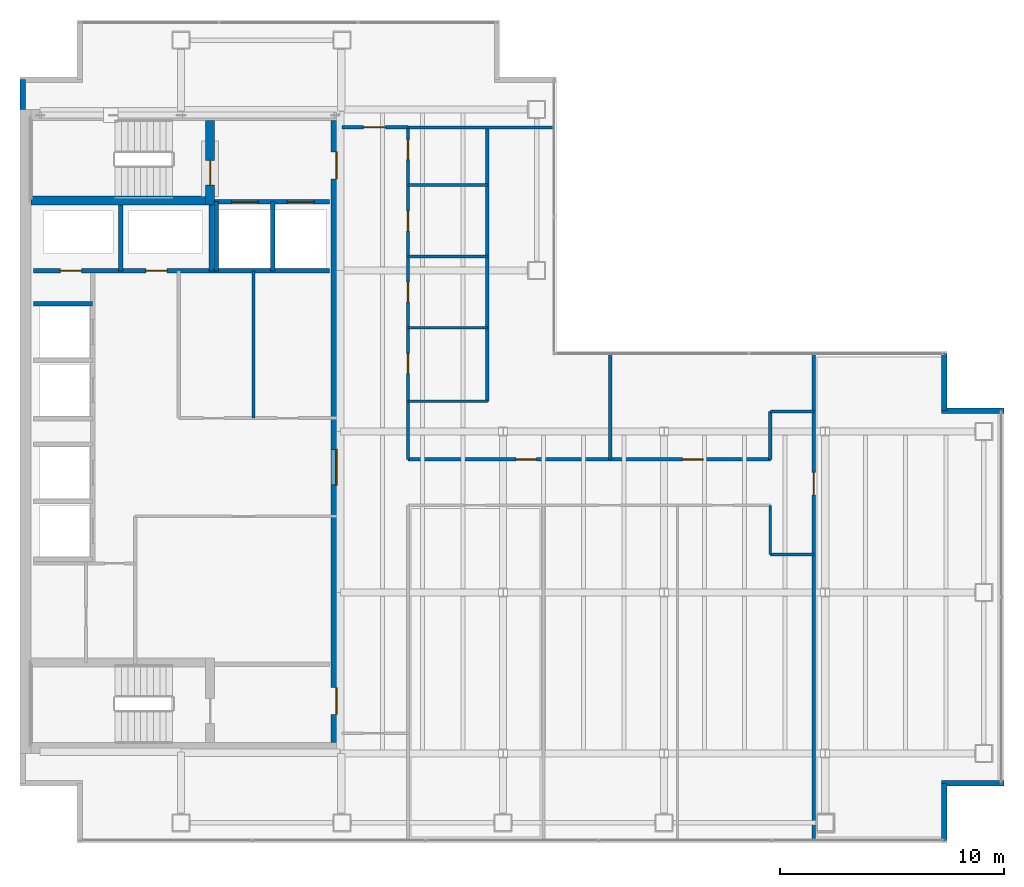
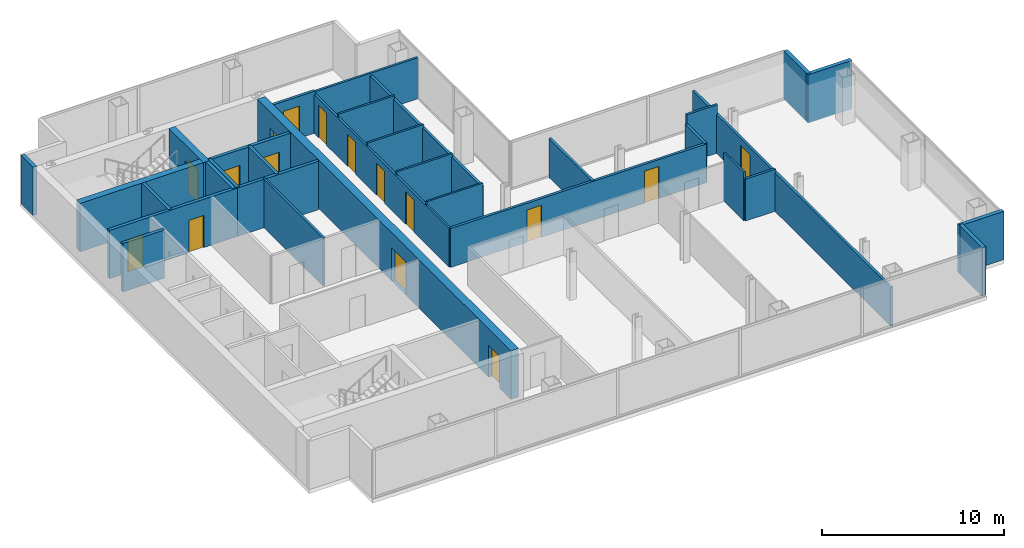
# One storey, part 21 of 23: 32 walls, 16 doors, 16 openings.
"""IFC4 building model written with IfcOpenShell, lengths in metres."""

import ifcopenshell
import ifcopenshell.guid

model = None  # the IFC model being written
_history = None  # IfcOwnerHistory: only IFC2X3 demands one
_inside = {}  # id of a spatial element -> (the spatial element, [elements in it])
_under = {}  # id of a project, library or spatial element -> (it, [spatial elements below it])
_declared = {}  # id of a project -> (the project, [libraries it declares])
_typed = {}  # id of a type object -> (the type object, [elements of that type])
_made_of = {}  # id of a material, layer set ... -> (it, [elements and type objects made of it])


def new_model(schema):
    """Start an empty IFC model of exactly this schema.

    Asked for "IFC4X3", IfcOpenShell would pick the latest addendum, in which some entities
    have other attributes; the version numbers below select the first issue.
    IFC2X3 requires an IfcOwnerHistory on every rooted entity: one is made here for all.
    """
    global model, _history
    if schema == "IFC4X3":
        model = ifcopenshell.file(schema_version=(4, 3, 0, 0))
    else:
        model = ifcopenshell.file(schema=schema)
    _inside.clear()
    _under.clear()
    _declared.clear()
    _typed.clear()
    _made_of.clear()
    _history = None
    if model.schema == "IFC2X3":
        org = make("IfcOrganization", Name="unknown")
        user = make(
            "IfcPersonAndOrganization",
            ThePerson=make("IfcPerson", FamilyName="unknown"),
            TheOrganization=org,
        )
        app = make(
            "IfcApplication",
            ApplicationDeveloper=org,
            Version="unknown",
            ApplicationFullName="unknown",
            ApplicationIdentifier="unknown",
        )
        _history = make(
            "IfcOwnerHistory",
            OwningUser=user,
            OwningApplication=app,
            ChangeAction="ADDED",
            CreationDate=0,
        )
    return model


def make(cls, **values):
    """One entity of the class cls with the attributes given. An attribute that is None is left unset."""
    return model.create_entity(
        cls, **{name: value for name, value in values.items() if value is not None}
    )


def rooted(cls, **values):
    """An entity with a GlobalId (a new one), such as an element, a storey or a relation."""
    return make(cls, GlobalId=ifcopenshell.guid.new(), OwnerHistory=_history, **values)


def si_unit(unit_type, name, prefix=None):
    """IfcSIUnit, for example si_unit("LENGTHUNIT", "METRE", prefix="MILLI")."""
    return make("IfcSIUnit", UnitType=unit_type, Prefix=prefix, Name=name)


def assignment(units):
    """IfcUnitAssignment: the units of a project."""
    return None if units is None else make("IfcUnitAssignment", Units=units)


def point(xyz):
    """IfcCartesianPoint."""
    return None if xyz is None else make("IfcCartesianPoint", Coordinates=xyz)


def direction(xyz):
    """IfcDirection."""
    return None if xyz is None else make("IfcDirection", DirectionRatios=xyz)


def frame(location, z_axis=None, x_axis=None):
    """IfcAxis2Placement3D, a coordinate frame: its origin and axes. An axis left out is left unset."""
    return make(
        "IfcAxis2Placement3D",
        Location=point(location),
        Axis=direction(z_axis),
        RefDirection=direction(x_axis),
    )


def frame_2d(location, x_axis=None):
    """IfcAxis2Placement2D, a coordinate frame in the plane: its origin and x axis."""
    return make(
        "IfcAxis2Placement2D", Location=point(location), RefDirection=direction(x_axis)
    )


def origin():
    """The frame at (0, 0, 0) with its axes left unset."""
    return frame((0.0, 0.0, 0.0))


def place(relative_to, where):
    """IfcLocalPlacement: puts the frame where relative to a parent placement (None: the world)."""
    return make(
        "IfcLocalPlacement", PlacementRelTo=relative_to, RelativePlacement=where
    )


def context(
    kind, dimensions, precision=None, world=None, true_north=None, identifier=None
):
    """IfcGeometricRepresentationContext, for example the 3D "Model" context."""
    return make(
        "IfcGeometricRepresentationContext",
        ContextIdentifier=identifier,
        ContextType=kind,
        CoordinateSpaceDimension=dimensions,
        Precision=precision,
        WorldCoordinateSystem=world,
        TrueNorth=true_north,
    )


def subcontext(parent, identifier, kind, view, scale=None):
    """IfcGeometricRepresentationSubContext, for example "Body" below "Model"."""
    return make(
        "IfcGeometricRepresentationSubContext",
        ContextIdentifier=identifier,
        ContextType=kind,
        ParentContext=parent,
        TargetScale=scale,
        TargetView=view,
    )


def project(units=None, contexts=None):
    """IfcProject with its units and contexts."""
    return rooted(
        "IfcProject",
        Name="project",
        RepresentationContexts=contexts,
        UnitsInContext=assignment(units),
    )


def spatial(cls, under=None, at=None, **own):
    """A site, building, storey or space (cls), placed at a placement, below another one or the project."""
    s = rooted(cls, ObjectPlacement=at, **own)
    if under is not None:
        _under.setdefault(under.id(), (under, []))[1].append(s)
    return s


def profile(cls, at=None, kind="AREA", **sizes):
    """A parametric profile (cls). Its sizes go by their IFC names, for example OverallWidth=200.0."""
    return make(cls, ProfileType=kind, Position=at, **sizes)


def rectangle(**sizes):
    """IfcRectangleProfileDef."""
    return profile("IfcRectangleProfileDef", **sizes)


def extrude(swept, where, along, depth):
    """IfcExtrudedAreaSolid: the profile swept, set in the frame where, extruded along a direction by depth."""
    return make(
        "IfcExtrudedAreaSolid",
        SweptArea=swept,
        Position=where,
        ExtrudedDirection=direction(along),
        Depth=depth,
    )


def shape(context_of_items, identifier, shape_type, items):
    """IfcShapeRepresentation: the items that make up one representation, for example the "Body"."""
    return make(
        "IfcShapeRepresentation",
        ContextOfItems=context_of_items,
        RepresentationIdentifier=identifier,
        RepresentationType=shape_type,
        Items=items,
    )


def material(Name=None, Category=None):
    """IfcMaterial."""
    return make("IfcMaterial", Name=Name, Category=Category)


def layer(
    of_material, thickness, ventilated=None, Name=None, Category=None, Priority=None
):
    """IfcMaterialLayer: one layer of a wall or slab, of a material (None: an air gap)."""
    return make(
        "IfcMaterialLayer",
        Material=of_material,
        LayerThickness=thickness,
        IsVentilated=ventilated,
        Name=Name,
        Category=Category,
        Priority=Priority,
    )


def layer_set(layers, Name=None):
    """IfcMaterialLayerSet."""
    return make("IfcMaterialLayerSet", MaterialLayers=layers, LayerSetName=Name)


def made_of(thing, what):
    """Note that an element or type object is made of a material, layer set ...; save() writes the relation."""
    if what is not None:
        _made_of.setdefault(what.id(), (what, []))[1].append(thing)
    return thing


def type_object(cls, material=None, **own):
    """A type object (cls), such as IfcWallType, which elements share."""
    return made_of(rooted(cls, **own), material)


def element(
    cls,
    number,
    at=None,
    inside=None,
    cuts=None,
    type_object=None,
    material=None,
    context=None,
    identifier="Body",
    shape_type=None,
    held_by="IfcProductDefinitionShape",
    body=None,
    shapes=None,
    **own,
):
    """One element of the class cls, such as IfcWall. Its Tag is "e" and its number.

    at: its placement. inside: the storey or other place that contains it. cuts: it is an
    opening in that element (IfcRelVoidsElement). A single representation is given by context,
    identifier, shape_type and body (its items); several are given by shapes. held_by: the class
    of the entity that holds the representations. save() writes the other relations.
    """
    e = rooted(cls, Tag="e%d" % number, ObjectPlacement=at, **own)
    if body is not None:
        shapes = [shape(context, identifier, shape_type, body)]
    if shapes is not None:
        e.Representation = make(held_by, Representations=shapes)
    if inside is not None:
        _inside.setdefault(inside.id(), (inside, []))[1].append(e)
    if cuts is not None:
        rooted(
            "IfcRelVoidsElement", RelatingBuildingElement=cuts, RelatedOpeningElement=e
        )
    if type_object is not None:
        _typed.setdefault(type_object.id(), (type_object, []))[1].append(e)
    return made_of(e, material)


def fill(opening, filler):
    """IfcRelFillsElement: the door or window that sits in an opening."""
    return rooted(
        "IfcRelFillsElement",
        RelatingOpeningElement=opening,
        RelatedBuildingElement=filler,
    )


def aggregate(whole, parts):
    """IfcRelAggregates: a whole, such as a stair, and the parts it consists of."""
    return rooted("IfcRelAggregates", RelatingObject=whole, RelatedObjects=parts)


def save(model, path):
    """Write the relations noted so far, then the file.

    IfcRelAggregates (storeys below a building ...), IfcRelContainedInSpatialStructure (elements
    in a storey), IfcRelDefinesByType, IfcRelAssociatesMaterial and IfcRelDeclares: one each for
    every whole, place, type object, material and project.
    """
    for whole, parts in _under.values():
        aggregate(whole, parts)
    for where, things in _inside.values():
        rooted(
            "IfcRelContainedInSpatialStructure",
            RelatedElements=things,
            RelatingStructure=where,
        )
    for kind, things in _typed.values():
        rooted("IfcRelDefinesByType", RelatedObjects=things, RelatingType=kind)
    for what, things in _made_of.values():
        rooted("IfcRelAssociatesMaterial", RelatedObjects=things, RelatingMaterial=what)
    for by, libraries in _declared.values():
        rooted("IfcRelDeclares", RelatingContext=by, RelatedDefinitions=libraries)
    model.write(path)


model = new_model("IFC4")

# Units and contexts
model_context = context("Model", 3, precision=1e-05, world=origin(), true_north=direction((0.0, 1.0)))
body_context = subcontext(model_context, "Body", "Model", "MODEL_VIEW")
ifc_project = project(units=[si_unit("LENGTHUNIT", "METRE"), si_unit("AREAUNIT", "SQUARE_METRE"), si_unit("VOLUMEUNIT", "CUBIC_METRE"), si_unit("PLANEANGLEUNIT", "RADIAN"), si_unit("MASSUNIT", "GRAM", prefix="KILO")], contexts=[model_context])

# Site, building, storey
site_placement = place(None, origin())
site = spatial("IfcSite", under=ifc_project, at=site_placement, CompositionType="ELEMENT")
building_placement = place(site_placement, origin())
building = spatial("IfcBuilding", under=site, at=building_placement, Name="Cobrela Telecom Tower", CompositionType="ELEMENT")
storey_placement = place(building_placement, frame((0.0, 0.0, 187.25)))
storey = spatial("IfcBuildingStorey", under=building, at=storey_placement, Name="L47", CompositionType="ELEMENT", Elevation=187.25)

# Wall, openings, doors
ifc_material_1 = material(Name="Concrete C40/50", Category="concrete")
ifc_layer_1 = layer(ifc_material_1, 0.5)
ifc_layer_set_1 = layer_set([ifc_layer_1], Name="Concrete C40/50")
wall_type_1 = type_object("IfcWallType", Name="WALL-CORE-C40-500", PredefinedType="SHEAR", material=ifc_layer_set_1)
wall_1_placement = place(storey_placement, frame((14.14990234375, 35.5, 0.0), z_axis=(0.0, 0.0, 1.0), x_axis=(0.0, -1.0, 0.0)))
wall_1 = element("IfcWall", 1, at=wall_1_placement, inside=storey, type_object=wall_type_1, Name="L47 East Core Shear Wall", PredefinedType="SHEAR", context=body_context, shape_type="SweptSolid", body=[
    extrude(rectangle(XDim=27.800048828125, YDim=0.5, at=frame_2d((13.89990234375, 0.0))), origin(), (0.0, 0.0, 1.0), 3.239990234375),
])
opening_1_placement = place(wall_1_placement, frame((1.39990234375, 0.0, 0.0)))
opening_1 = element("IfcOpeningElement", 2, at=opening_1_placement, cuts=wall_1, Name="Opening DR-19", PredefinedType="OPENING", context=body_context, shape_type="SweptSolid", body=[
    extrude(rectangle(XDim=1.199951171875, YDim=2.14990234375, at=frame_2d((0.60009765625, 1.074951171875))), frame((0.0, 0.261962890625, 0.0), z_axis=(0.0, -1.0, 0.0), x_axis=(1.0, 0.0, 0.0)), (0.0, 0.0, 1.0), 0.52392578125),
])
opening_2_placement = place(wall_1_placement, frame((25.35009765625, 0.0, 0.0)))
opening_2 = element("IfcOpeningElement", 3, at=opening_2_placement, cuts=wall_1, Name="Opening DR-19", PredefinedType="OPENING", context=body_context, shape_type="SweptSolid", body=[
    extrude(rectangle(XDim=1.199951171875, YDim=2.14990234375, at=frame_2d((0.60009765625, 1.074951171875))), frame((0.0, 0.261962890625, 0.0), z_axis=(0.0, -1.0, 0.0), x_axis=(1.0, 0.0, 0.0)), (0.0, 0.0, 1.0), 0.52392578125),
])
opening_3_placement = place(wall_1_placement, frame((14.699951171875, 0.0, 0.0)))
opening_3 = element("IfcOpeningElement", 4, at=opening_3_placement, cuts=wall_1, Name="Opening DR-51", PredefinedType="OPENING", context=body_context, shape_type="SweptSolid", body=[
    extrude(rectangle(XDim=1.60009765625, YDim=2.199951171875, at=frame_2d((0.800048828125, 1.10009765625))), frame((0.0, 0.261962890625, 0.0), z_axis=(0.0, -1.0, 0.0), x_axis=(1.0, 0.0, 0.0)), (0.0, 0.0, 1.0), 0.52392578125),
])
ifc_material_2 = material(Name="Steel ASTM A36", Category="steel")
door_type_1 = type_object("IfcDoorType", Name="DOOR-FD60-1200", OperationType="SINGLE_SWING_LEFT", PredefinedType="DOOR", material=ifc_material_2)
door_1_placement = place(opening_1_placement, origin())
door_1 = element("IfcDoor", 5, at=door_1_placement, inside=storey, type_object=door_type_1, Name="L47 Door DR-19", OperationType="SINGLE_SWING_LEFT", OverallHeight=2.14990234375, OverallWidth=1.199951171875, PredefinedType="DOOR", context=body_context, shape_type="SweptSolid", body=[
    extrude(rectangle(XDim=1.199951171875, YDim=2.14990234375, at=frame_2d((0.60009765625, 1.074951171875))), frame((0.0, 0.02490234375, 0.0), z_axis=(0.0, -1.0, 0.0), x_axis=(1.0, 0.0, 0.0)), (0.0, 0.0, 1.0), 0.050048828125),
])
fill(opening_1, door_1)
door_2_placement = place(opening_2_placement, origin())
door_2 = element("IfcDoor", 6, at=door_2_placement, inside=storey, type_object=door_type_1, Name="L47 Door DR-19", OperationType="SINGLE_SWING_RIGHT", OverallHeight=2.14990234375, OverallWidth=1.199951171875, PredefinedType="DOOR", context=body_context, shape_type="SweptSolid", body=[
    extrude(rectangle(XDim=1.199951171875, YDim=2.14990234375, at=frame_2d((0.60009765625, 1.074951171875))), frame((0.0, 0.02490234375, 0.0), z_axis=(0.0, -1.0, 0.0), x_axis=(1.0, 0.0, 0.0)), (0.0, 0.0, 1.0), 0.050048828125),
])
fill(opening_2, door_2)
door_type_2 = type_object("IfcDoorType", Name="DOOR-FD60-1600", OperationType="SINGLE_SWING_LEFT", PredefinedType="DOOR", material=ifc_material_2)
door_3_placement = place(opening_3_placement, origin())
door_3 = element("IfcDoor", 7, at=door_3_placement, inside=storey, type_object=door_type_2, Name="L47 Door DR-51", OperationType="DOUBLE_DOOR_SINGLE_SWING", OverallHeight=2.199951171875, OverallWidth=1.60009765625, PredefinedType="DOOR", context=body_context, shape_type="SweptSolid", body=[
    extrude(rectangle(XDim=1.60009765625, YDim=2.199951171875, at=frame_2d((0.800048828125, 1.10009765625))), frame((0.0, 0.02490234375, 0.0), z_axis=(0.0, -1.0, 0.0), x_axis=(1.0, 0.0, 0.0)), (0.0, 0.0, 1.0), 0.050048828125),
])
fill(opening_3, door_3)

# Walls
ifc_layer_2 = layer(ifc_material_1, 0.239990234375)
ifc_layer_set_2 = layer_set([ifc_layer_2], Name="Concrete C40/50")
wall_type_2 = type_object("IfcWallType", Name="WALL-EXT-300", PredefinedType="STANDARD", material=ifc_layer_set_2)
wall_2_placement = place(storey_placement, frame((0.1201171875, 36.0, 0.0), z_axis=(0.0, 0.0, 1.0), x_axis=(0.0, 1.0, 0.0)))
element("IfcWall", 8, at=wall_2_placement, inside=storey, type_object=wall_type_2, Name="L47 Insulated Facade Wall 04", PredefinedType="STANDARD", context=body_context, shape_type="SweptSolid", body=[
    extrude(rectangle(XDim=1.330078125, YDim=0.239990234375, at=frame_2d((0.6650390625, 0.0))), origin(), (0.0, 0.0, 1.0), 3.239990234375),
])
wall_3_placement = place(storey_placement, frame((41.330078125, 25.080078125, 0.0), z_axis=(0.0, 0.0, 1.0), x_axis=(0.0, -1.0, 0.0)))
element("IfcWall", 9, at=wall_3_placement, inside=storey, type_object=wall_type_2, Name="L47 Insulated Facade Wall 12", PredefinedType="STANDARD", context=body_context, shape_type="SweptSolid", body=[
    extrude(rectangle(XDim=2.550048828125, YDim=0.239990234375, at=frame_2d((1.27490234375, 0.0))), origin(), (0.0, 0.0, 1.0), 3.239990234375),
])
for number, where, z_axis, x_axis, name in (
    (10, (41.2099609375, 22.530029296875, 0.0), (0.0, 0.0, 1.0), (1.0, 0.0, 0.0), "L47 Insulated Facade Wall 13"),
    (11, (44.0, 5.8701171875, 0.0), (0.0, 0.0, 1.0), (-1.0, 0.0, 0.0), "L47 Insulated Facade Wall 15"),
):
    element("IfcWall", number, at=place(storey_placement, frame(where, z_axis=z_axis, x_axis=x_axis)), inside=storey, type_object=wall_type_2, Name=name, PredefinedType="STANDARD", context=body_context, shape_type="SweptSolid", body=[
        extrude(rectangle(XDim=2.7900390625, YDim=0.239990234375, at=frame_2d((1.39501953125, 0.0))), origin(), (0.0, 0.0, 1.0), 3.239990234375),
    ])
wall_4_placement = place(storey_placement, frame((41.330078125, 5.8701171875, 0.0), z_axis=(0.0, 0.0, 1.0), x_axis=(0.0, -1.0, 0.0)))
element("IfcWall", 12, at=wall_4_placement, inside=storey, type_object=wall_type_2, Name="L47 Insulated Facade Wall 16", PredefinedType="STANDARD", context=body_context, shape_type="SweptSolid", body=[
    extrude(rectangle(XDim=2.550048828125, YDim=0.239990234375, at=frame_2d((1.27490234375, 0.0))), origin(), (0.0, 0.0, 1.0), 3.239990234375),
])
ifc_material_3 = material(Name="Fire-Rated Gypsum Plasterboard")
ifc_layer_3 = layer(ifc_material_3, 0.110107421875)
ifc_layer_set_3 = layer_set([ifc_layer_3], Name="Fire-Rated Gypsum Plasterboard")
wall_type_3 = type_object("IfcWallType", Name="WALL-PART-110", PredefinedType="PARTITIONING", material=ifc_layer_set_3)
wall_5_placement = place(storey_placement, frame((33.550048828125, 16.10009765625, 0.0), z_axis=(0.0, 0.0, 1.0), x_axis=(0.0, 1.0, 0.0)))
element("IfcWall", 13, at=wall_5_placement, inside=storey, type_object=wall_type_3, Name="L47 Interior Partition W-CT-JW1", PredefinedType="PARTITIONING", context=body_context, shape_type="SweptSolid", body=[
    extrude(rectangle(XDim=2.199951171875, YDim=0.110107421875, at=frame_2d((1.10009765625, 0.0))), origin(), (0.0, 0.0, 1.0), 3.239990234375),
])
wall_6_placement = place(storey_placement, frame((17.35009765625, 22.949951171875, 0.0), z_axis=(0.0, 0.0, 1.0), x_axis=(1.0, 0.0, 0.0)))
element("IfcWall", 14, at=wall_6_placement, inside=storey, type_object=wall_type_3, Name="L47 Interior Partition W-WC-S", PredefinedType="PARTITIONING", context=body_context, shape_type="SweptSolid", body=[
    extrude(rectangle(XDim=3.5498046875, YDim=0.110107421875, at=frame_2d((1.77490234375, 0.0))), origin(), (0.0, 0.0, 1.0), 2.80810546875),
])
ifc_layer_4 = layer(ifc_material_3, 0.125)
ifc_layer_set_4 = layer_set([ifc_layer_4], Name="Fire-Rated Gypsum Plasterboard")
wall_type_4 = type_object("IfcWallType", Name="WALL-PART-125", PredefinedType="PARTITIONING", material=ifc_layer_set_4)
for number, where, z_axis, x_axis, name in (
    (15, (17.35009765625, 26.239990234375, 0.0), (0.0, 0.0, 1.0), (1.0, 0.0, 0.0), "L47 Interior Partition W-WCD-1"),
    (16, (17.35009765625, 29.429931640625, 0.0), (0.0, 0.0, 1.0), (1.0, 0.0, 0.0), "L47 Interior Partition W-WCD-2"),
    (17, (17.35009765625, 32.6201171875, 0.0), (0.0, 0.0, 1.0), (1.0, 0.0, 0.0), "L47 Interior Partition W-WCD-3"),
):
    element("IfcWall", number, at=place(storey_placement, frame(where, z_axis=z_axis, x_axis=x_axis)), inside=storey, type_object=wall_type_4, Name=name, PredefinedType="PARTITIONING", context=body_context, shape_type="SweptSolid", body=[
        extrude(rectangle(XDim=3.5498046875, YDim=0.125, at=frame_2d((1.77490234375, 0.0))), origin(), (0.0, 0.0, 1.0), 2.80810546875),
    ])
ifc_layer_5 = layer(ifc_material_3, 0.135009765625)
ifc_layer_set_5 = layer_set([ifc_layer_5], Name="Fire-Rated Gypsum Plasterboard")
wall_type_5 = type_object("IfcWallType", Name="WALL-PART-135", PredefinedType="PARTITIONING", material=ifc_layer_set_5)
wall_7_placement = place(storey_placement, frame((10.449951171875, 22.199951171875, 0.0), z_axis=(0.0, 0.0, 1.0), x_axis=(0.0, 1.0, 0.0)))
element("IfcWall", 18, at=wall_7_placement, inside=storey, type_object=wall_type_5, Name="L47 Interior Partition CW-RECL-V", PredefinedType="PARTITIONING", context=body_context, shape_type="SweptSolid", body=[
    extrude(rectangle(XDim=6.580078125, YDim=0.135009765625, at=frame_2d((3.2900390625, 0.0))), origin(), (0.0, 0.0, 1.0), 3.239990234375),
])

# Wall, openings, doors
wall_8_placement = place(storey_placement, frame((17.35009765625, 20.35009765625, 0.0), z_axis=(0.0, 0.0, 1.0), x_axis=(0.0, 1.0, 0.0)))
wall_8 = element("IfcWall", 19, at=wall_8_placement, inside=storey, type_object=wall_type_5, Name="L47 Interior Partition W-C-E2", PredefinedType="PARTITIONING", context=body_context, shape_type="SweptSolid", body=[
    extrude(rectangle(XDim=14.849853515625, YDim=0.135009765625, at=frame_2d((7.4248046875, 0.0))), origin(), (0.0, 0.0, 1.0), 2.60302734375),
])
opening_4_placement = place(wall_8_placement, frame((3.840087890625, 0.0, 0.0)))
opening_4 = element("IfcOpeningElement", 20, at=opening_4_placement, cuts=wall_8, Name="Opening DR-41", PredefinedType="OPENING", context=body_context, shape_type="SweptSolid", body=[
    extrude(rectangle(XDim=0.89990234375, YDim=2.14990234375, at=frame_2d((0.449951171875, 1.074951171875))), frame((0.0, 0.07958984375, 0.0), z_axis=(0.0, -1.0, 0.0), x_axis=(1.0, 0.0, 0.0)), (0.0, 0.0, 1.0), 0.158935546875),
])
opening_5_placement = place(wall_8_placement, frame((7.0400390625, 0.0, 0.0)))
opening_5 = element("IfcOpeningElement", 21, at=opening_5_placement, cuts=wall_8, Name="Opening DR-41", PredefinedType="OPENING", context=body_context, shape_type="SweptSolid", body=[
    extrude(rectangle(XDim=0.89990234375, YDim=2.14990234375, at=frame_2d((0.449951171875, 1.074951171875))), frame((0.0, 0.07958984375, 0.0), z_axis=(0.0, -1.0, 0.0), x_axis=(1.0, 0.0, 0.0)), (0.0, 0.0, 1.0), 0.158935546875),
])
opening_6_placement = place(wall_8_placement, frame((10.219970703125, 0.0, 0.0)))
opening_6 = element("IfcOpeningElement", 22, at=opening_6_placement, cuts=wall_8, Name="Opening DR-41", PredefinedType="OPENING", context=body_context, shape_type="SweptSolid", body=[
    extrude(rectangle(XDim=0.89990234375, YDim=2.14990234375, at=frame_2d((0.449951171875, 1.074951171875))), frame((0.0, 0.07958984375, 0.0), z_axis=(0.0, -1.0, 0.0), x_axis=(1.0, 0.0, 0.0)), (0.0, 0.0, 1.0), 0.158935546875),
])
opening_7_placement = place(wall_8_placement, frame((13.409912109375, 0.0, 0.0)))
opening_7 = element("IfcOpeningElement", 23, at=opening_7_placement, cuts=wall_8, Name="Opening DR-41", PredefinedType="OPENING", context=body_context, shape_type="SweptSolid", body=[
    extrude(rectangle(XDim=0.89990234375, YDim=2.14990234375, at=frame_2d((0.449951171875, 1.074951171875))), frame((0.0, 0.07958984375, 0.0), z_axis=(0.0, -1.0, 0.0), x_axis=(1.0, 0.0, 0.0)), (0.0, 0.0, 1.0), 0.158935546875),
])
ifc_material_4 = material(Name="Solid Engineered Oak Timber", Category="wood")
door_type_3 = type_object("IfcDoorType", Name="DOOR-INT-900", OperationType="SINGLE_SWING_LEFT", PredefinedType="DOOR", material=ifc_material_4)
door_4_placement = place(opening_4_placement, origin())
door_4 = element("IfcDoor", 24, at=door_4_placement, inside=storey, type_object=door_type_3, Name="L47 Door DR-41", OperationType="SINGLE_SWING_LEFT", OverallHeight=2.14990234375, OverallWidth=0.89990234375, PredefinedType="DOOR", context=body_context, shape_type="SweptSolid", body=[
    extrude(rectangle(XDim=0.89990234375, YDim=2.14990234375, at=frame_2d((0.449951171875, 1.074951171875))), frame((0.0, 0.02490234375, 0.0), z_axis=(0.0, -1.0, 0.0), x_axis=(1.0, 0.0, 0.0)), (0.0, 0.0, 1.0), 0.050048828125),
])
fill(opening_4, door_4)
door_5_placement = place(opening_5_placement, origin())
door_5 = element("IfcDoor", 25, at=door_5_placement, inside=storey, type_object=door_type_3, Name="L47 Door DR-41", OperationType="SINGLE_SWING_RIGHT", OverallHeight=2.14990234375, OverallWidth=0.89990234375, PredefinedType="DOOR", context=body_context, shape_type="SweptSolid", body=[
    extrude(rectangle(XDim=0.89990234375, YDim=2.14990234375, at=frame_2d((0.449951171875, 1.074951171875))), frame((0.0, 0.02490234375, 0.0), z_axis=(0.0, -1.0, 0.0), x_axis=(1.0, 0.0, 0.0)), (0.0, 0.0, 1.0), 0.050048828125),
])
fill(opening_5, door_5)
door_6_placement = place(opening_6_placement, origin())
door_6 = element("IfcDoor", 26, at=door_6_placement, inside=storey, type_object=door_type_3, Name="L47 Door DR-41", OperationType="SINGLE_SWING_LEFT", OverallHeight=2.14990234375, OverallWidth=0.89990234375, PredefinedType="DOOR", context=body_context, shape_type="SweptSolid", body=[
    extrude(rectangle(XDim=0.89990234375, YDim=2.14990234375, at=frame_2d((0.449951171875, 1.074951171875))), frame((0.0, 0.02490234375, 0.0), z_axis=(0.0, -1.0, 0.0), x_axis=(1.0, 0.0, 0.0)), (0.0, 0.0, 1.0), 0.050048828125),
])
fill(opening_6, door_6)
door_7_placement = place(opening_7_placement, origin())
door_7 = element("IfcDoor", 27, at=door_7_placement, inside=storey, type_object=door_type_3, Name="L47 Door DR-41", OperationType="SINGLE_SWING_RIGHT", OverallHeight=2.14990234375, OverallWidth=0.89990234375, PredefinedType="DOOR", context=body_context, shape_type="SweptSolid", body=[
    extrude(rectangle(XDim=0.89990234375, YDim=2.14990234375, at=frame_2d((0.449951171875, 1.074951171875))), frame((0.0, 0.02490234375, 0.0), z_axis=(0.0, -1.0, 0.0), x_axis=(1.0, 0.0, 0.0)), (0.0, 0.0, 1.0), 0.050048828125),
])
fill(opening_7, door_7)

# Walls
wall_9_placement = place(storey_placement, frame((33.550048828125, 22.5, 0.0), z_axis=(0.0, 0.0, 1.0), x_axis=(1.0, 0.0, 0.0)))
element("IfcWall", 28, at=wall_9_placement, inside=storey, type_object=wall_type_5, Name="L47 Interior Partition W-CT-N", PredefinedType="PARTITIONING", context=body_context, shape_type="SweptSolid", body=[
    extrude(rectangle(XDim=1.949951171875, YDim=0.135009765625, at=frame_2d((0.97509765625, 0.0))), origin(), (0.0, 0.0, 1.0), 3.239990234375),
])
wall_10_placement = place(storey_placement, frame((17.35009765625, 35.199951171875, 0.0), z_axis=(0.0, 0.0, 1.0), x_axis=(1.0, 0.0, 0.0)))
element("IfcWall", 29, at=wall_10_placement, inside=storey, type_object=wall_type_5, Name="L47 Interior Partition W-NW-S", PredefinedType="PARTITIONING", context=body_context, shape_type="SweptSolid", body=[
    extrude(rectangle(XDim=6.52978515625, YDim=0.135009765625, at=frame_2d((3.264892578125, 0.0))), origin(), (0.0, 0.0, 1.0), 2.758056640625),
])
ifc_layer_6 = layer(ifc_material_3, 0.14990234375)
ifc_layer_set_6 = layer_set([ifc_layer_6], Name="Fire-Rated Gypsum Plasterboard")
wall_type_6 = type_object("IfcWallType", Name="WALL-PART-150", PredefinedType="PARTITIONING", material=ifc_layer_set_6)
wall_11_placement = place(storey_placement, frame((33.550048828125, 16.10009765625, 0.0), z_axis=(0.0, 0.0, 1.0), x_axis=(1.0, 0.0, 0.0)))
element("IfcWall", 30, at=wall_11_placement, inside=storey, type_object=wall_type_6, Name="L47 Interior Partition W-CT-S", PredefinedType="PARTITIONING", context=body_context, shape_type="SweptSolid", body=[
    extrude(rectangle(XDim=1.949951171875, YDim=0.14990234375, at=frame_2d((0.97509765625, 0.0))), origin(), (0.0, 0.0, 1.0), 2.80810546875),
])

# Wall, opening, door
wall_12_placement = place(storey_placement, frame((35.5, 3.320068359375, 0.0), z_axis=(0.0, 0.0, 1.0), x_axis=(0.0, 1.0, 0.0)))
wall_12 = element("IfcWall", 31, at=wall_12_placement, inside=storey, type_object=wall_type_6, Name="L47 Interior Partition W-C-END", PredefinedType="PARTITIONING", context=body_context, shape_type="SweptSolid", body=[
    extrude(rectangle(XDim=21.760009765625, YDim=0.14990234375, at=frame_2d((10.8798828125, 0.0))), origin(), (0.0, 0.0, 1.0), 2.60302734375),
])
opening_8_placement = place(wall_12_placement, frame((15.449951171875, 0.0, 0.0)))
opening_8 = element("IfcOpeningElement", 32, at=opening_8_placement, cuts=wall_12, Name="Opening DR-31", PredefinedType="OPENING", context=body_context, shape_type="SweptSolid", body=[
    extrude(rectangle(XDim=1.0, YDim=2.14990234375, at=frame_2d((0.5, 1.074951171875))), frame((0.0, 0.0869140625, 0.0), z_axis=(0.0, -1.0, 0.0), x_axis=(1.0, 0.0, 0.0)), (0.0, 0.0, 1.0), 0.173828125),
])
door_type_4 = type_object("IfcDoorType", Name="DOOR-INT-1000", OperationType="SINGLE_SWING_LEFT", PredefinedType="DOOR", material=ifc_material_4)
door_8_placement = place(opening_8_placement, origin())
door_8 = element("IfcDoor", 33, at=door_8_placement, inside=storey, type_object=door_type_4, Name="L47 Door DR-31", OperationType="SINGLE_SWING_LEFT", OverallHeight=2.14990234375, OverallWidth=1.0, PredefinedType="DOOR", context=body_context, shape_type="SweptSolid", body=[
    extrude(rectangle(XDim=1.0, YDim=2.14990234375, at=frame_2d((0.5, 1.074951171875))), frame((0.0, 0.02490234375, 0.0), z_axis=(0.0, -1.0, 0.0), x_axis=(1.0, 0.0, 0.0)), (0.0, 0.0, 1.0), 0.050048828125),
])
fill(opening_8, door_8)

ifc_layer_7 = layer(ifc_material_3, 0.159912109375)
ifc_layer_set_7 = layer_set([ifc_layer_7], Name="Fire-Rated Gypsum Plasterboard")
wall_type_7 = type_object("IfcWallType", Name="WALL-PART-160", PredefinedType="PARTITIONING", material=ifc_layer_set_7)
wall_13_placement = place(storey_placement, frame((14.39990234375, 35.199951171875, 0.0), z_axis=(0.0, 0.0, 1.0), x_axis=(1.0, 0.0, 0.0)))
wall_13 = element("IfcWall", 34, at=wall_13_placement, inside=storey, type_object=wall_type_7, Name="L47 Interior Partition W-C-N0", PredefinedType="PARTITIONING", context=body_context, shape_type="SweptSolid", body=[
    extrude(rectangle(XDim=2.9501953125, YDim=0.159912109375, at=frame_2d((1.47509765625, 0.0))), origin(), (0.0, 0.0, 1.0), 2.80810546875),
])
opening_9_placement = place(wall_13_placement, frame((0.949951171875, 0.0, 0.0)))
opening_9 = element("IfcOpeningElement", 35, at=opening_9_placement, cuts=wall_13, Name="Opening DR-31", PredefinedType="OPENING", context=body_context, shape_type="SweptSolid", body=[
    extrude(rectangle(XDim=1.0, YDim=2.14990234375, at=frame_2d((0.5, 1.074951171875))), frame((0.0, 0.091796875, 0.0), z_axis=(0.0, -1.0, 0.0), x_axis=(1.0, 0.0, 0.0)), (0.0, 0.0, 1.0), 0.183837890625),
])
door_9_placement = place(opening_9_placement, origin())
door_9 = element("IfcDoor", 36, at=door_9_placement, inside=storey, type_object=door_type_4, Name="L47 Door DR-31", OperationType="SINGLE_SWING_LEFT", OverallHeight=2.14990234375, OverallWidth=1.0, PredefinedType="DOOR", context=body_context, shape_type="SweptSolid", body=[
    extrude(rectangle(XDim=1.0, YDim=2.14990234375, at=frame_2d((0.5, 1.074951171875))), frame((0.0, 0.02490234375, 0.0), z_axis=(0.0, -1.0, 0.0), x_axis=(1.0, 0.0, 0.0)), (0.0, 0.0, 1.0), 0.050048828125),
])
fill(opening_9, door_9)

# Wall, openings, doors
wall_14_placement = place(storey_placement, frame((17.35009765625, 20.35009765625, 0.0), z_axis=(0.0, 0.0, 1.0), x_axis=(1.0, 0.0, 0.0)))
wall_14 = element("IfcWall", 37, at=wall_14_placement, inside=storey, type_object=wall_type_7, Name="L47 Interior Partition W-C-HN", PredefinedType="PARTITIONING", context=body_context, shape_type="SweptSolid", body=[
    extrude(rectangle(XDim=16.199951171875, YDim=0.159912109375, at=frame_2d((8.10009765625, 0.0))), origin(), (0.0, 0.0, 1.0), 2.60302734375),
])
opening_10_placement = place(wall_14_placement, frame((4.820068359375, 0.0, 0.0)))
opening_10 = element("IfcOpeningElement", 38, at=opening_10_placement, cuts=wall_14, Name="Opening DR-45", PredefinedType="OPENING", context=body_context, shape_type="SweptSolid", body=[
    extrude(rectangle(XDim=0.919921875, YDim=2.14990234375, at=frame_2d((0.4599609375, 1.074951171875))), frame((0.0, 0.091796875, 0.0), z_axis=(0.0, -1.0, 0.0), x_axis=(1.0, 0.0, 0.0)), (0.0, 0.0, 1.0), 0.183837890625),
])
opening_11_placement = place(wall_14_placement, frame((12.280029296875, 0.0, 0.0)))
opening_11 = element("IfcOpeningElement", 39, at=opening_11_placement, cuts=wall_14, Name="Opening DR-45", PredefinedType="OPENING", context=body_context, shape_type="SweptSolid", body=[
    extrude(rectangle(XDim=0.919921875, YDim=2.14990234375, at=frame_2d((0.4599609375, 1.074951171875))), frame((0.0, 0.091796875, 0.0), z_axis=(0.0, -1.0, 0.0), x_axis=(1.0, 0.0, 0.0)), (0.0, 0.0, 1.0), 0.183837890625),
])
door_type_5 = type_object("IfcDoorType", Name="DOOR-INT-920", OperationType="SINGLE_SWING_LEFT", PredefinedType="DOOR", material=ifc_material_4)
door_10_placement = place(opening_10_placement, origin())
door_10 = element("IfcDoor", 40, at=door_10_placement, inside=storey, type_object=door_type_5, Name="L47 Door DR-45", OperationType="SINGLE_SWING_LEFT", OverallHeight=2.14990234375, OverallWidth=0.919921875, PredefinedType="DOOR", context=body_context, shape_type="SweptSolid", body=[
    extrude(rectangle(XDim=0.919921875, YDim=2.14990234375, at=frame_2d((0.4599609375, 1.074951171875))), frame((0.0, 0.02490234375, 0.0), z_axis=(0.0, -1.0, 0.0), x_axis=(1.0, 0.0, 0.0)), (0.0, 0.0, 1.0), 0.050048828125),
])
fill(opening_10, door_10)
door_11_placement = place(opening_11_placement, origin())
door_11 = element("IfcDoor", 41, at=door_11_placement, inside=storey, type_object=door_type_5, Name="L47 Door DR-45", OperationType="SINGLE_SWING_RIGHT", OverallHeight=2.14990234375, OverallWidth=0.919921875, PredefinedType="DOOR", context=body_context, shape_type="SweptSolid", body=[
    extrude(rectangle(XDim=0.919921875, YDim=2.14990234375, at=frame_2d((0.4599609375, 1.074951171875))), frame((0.0, 0.02490234375, 0.0), z_axis=(0.0, -1.0, 0.0), x_axis=(1.0, 0.0, 0.0)), (0.0, 0.0, 1.0), 0.050048828125),
])
fill(opening_11, door_11)

# Walls
wall_15_placement = place(storey_placement, frame((33.550048828125, 20.35009765625, 0.0), z_axis=(0.0, 0.0, 1.0), x_axis=(0.0, 1.0, 0.0)))
element("IfcWall", 42, at=wall_15_placement, inside=storey, type_object=wall_type_7, Name="L47 Interior Partition W-CT-JW2", PredefinedType="PARTITIONING", context=body_context, shape_type="SweptSolid", body=[
    extrude(rectangle(XDim=2.14990234375, YDim=0.159912109375, at=frame_2d((1.074951171875, 0.0))), origin(), (0.0, 0.0, 1.0), 2.60302734375),
])
wall_16_placement = place(storey_placement, frame((20.89990234375, 22.949951171875, 0.0), z_axis=(0.0, 0.0, 1.0), x_axis=(0.0, 1.0, 0.0)))
element("IfcWall", 43, at=wall_16_placement, inside=storey, type_object=wall_type_7, Name="L47 Interior Partition W-WC-E", PredefinedType="PARTITIONING", context=body_context, shape_type="SweptSolid", body=[
    extrude(rectangle(XDim=12.25, YDim=0.159912109375, at=frame_2d((6.125, 0.0))), origin(), (0.0, 0.0, 1.0), 2.60302734375),
])
wall_17_placement = place(storey_placement, frame((26.39990234375, 20.35009765625, 0.0), z_axis=(0.0, 0.0, 1.0), x_axis=(0.0, 1.0, 0.0)))
element("IfcWall", 44, at=wall_17_placement, inside=storey, type_object=wall_type_7, Name="L47 Interior Partition W-NV-1", PredefinedType="PARTITIONING", context=body_context, shape_type="SweptSolid", body=[
    extrude(rectangle(XDim=4.699951171875, YDim=0.159912109375, at=frame_2d((2.35009765625, 0.0))), origin(), (0.0, 0.0, 1.0), 2.60302734375),
])

# Wall, openings, doors
ifc_layer_8 = layer(ifc_material_3, 0.199951171875)
ifc_layer_set_8 = layer_set([ifc_layer_8], Name="Fire-Rated Gypsum Plasterboard")
wall_type_8 = type_object("IfcWallType", Name="WALL-SHAFT-200", PredefinedType="PARTITIONING", material=ifc_layer_set_8)
wall_18_placement = place(storey_placement, frame((8.699951171875, 31.8798828125, 0.0), z_axis=(0.0, 0.0, 1.0), x_axis=(1.0, 0.0, 0.0)))
wall_18 = element("IfcWall", 45, at=wall_18_placement, inside=storey, type_object=wall_type_8, Name="L47 Shaft Enclosure CW-FFL-S", PredefinedType="PARTITIONING", context=body_context, shape_type="SweptSolid", body=[
    extrude(rectangle(XDim=5.150146484375, YDim=0.199951171875, at=frame_2d((2.5751953125, 0.0))), origin(), (0.0, 0.0, 1.0), 3.239990234375),
])
opening_12_placement = place(wall_18_placement, frame((0.75, 0.0, 0.0)))
opening_12 = element("IfcOpeningElement", 46, at=opening_12_placement, cuts=wall_18, Name="Opening LD-2", PredefinedType="OPENING", context=body_context, shape_type="SweptSolid", body=[
    extrude(rectangle(XDim=1.199951171875, YDim=2.199951171875, at=frame_2d((0.60009765625, 1.10009765625))), frame((0.0, 0.11181640625, 0.0), z_axis=(0.0, -1.0, 0.0), x_axis=(1.0, 0.0, 0.0)), (0.0, 0.0, 1.0), 0.223876953125),
])
opening_13_placement = place(wall_18_placement, frame((3.25, 0.0, 0.0)))
opening_13 = element("IfcOpeningElement", 47, at=opening_13_placement, cuts=wall_18, Name="Opening LD-2", PredefinedType="OPENING", context=body_context, shape_type="SweptSolid", body=[
    extrude(rectangle(XDim=1.199951171875, YDim=2.199951171875, at=frame_2d((0.60009765625, 1.10009765625))), frame((0.0, 0.11181640625, 0.0), z_axis=(0.0, -1.0, 0.0), x_axis=(1.0, 0.0, 0.0)), (0.0, 0.0, 1.0), 0.223876953125),
])
door_type_6 = type_object("IfcDoorType", Name="DOOR-LD-FFL", OperationType="SINGLE_SWING_LEFT", PredefinedType="DOOR", material=ifc_material_2)
door_12_placement = place(opening_12_placement, origin())
door_12 = element("IfcDoor", 48, at=door_12_placement, inside=storey, type_object=door_type_6, Name="L47 Lift Landing Door LD-2", OperationType="DOUBLE_DOOR_SLIDING", OverallHeight=2.199951171875, OverallWidth=1.199951171875, PredefinedType="DOOR", context=body_context, shape_type="SweptSolid", body=[
    extrude(rectangle(XDim=1.199951171875, YDim=2.199951171875, at=frame_2d((0.60009765625, 1.10009765625))), frame((0.0, 0.02490234375, 0.0), z_axis=(0.0, -1.0, 0.0), x_axis=(1.0, 0.0, 0.0)), (0.0, 0.0, 1.0), 0.050048828125),
])
fill(opening_12, door_12)
door_13_placement = place(opening_13_placement, origin())
door_13 = element("IfcDoor", 49, at=door_13_placement, inside=storey, type_object=door_type_6, Name="L47 Lift Landing Door LD-2", OperationType="DOUBLE_DOOR_SLIDING", OverallHeight=2.199951171875, OverallWidth=1.199951171875, PredefinedType="DOOR", context=body_context, shape_type="SweptSolid", body=[
    extrude(rectangle(XDim=1.199951171875, YDim=2.199951171875, at=frame_2d((0.60009765625, 1.10009765625))), frame((0.0, 0.02490234375, 0.0), z_axis=(0.0, -1.0, 0.0), x_axis=(1.0, 0.0, 0.0)), (0.0, 0.0, 1.0), 0.050048828125),
])
fill(opening_13, door_13)

# Walls
wall_19_placement = place(storey_placement, frame((8.699951171875, 28.780029296875, 0.0), z_axis=(0.0, 0.0, 1.0), x_axis=(1.0, 0.0, 0.0)))
element("IfcWall", 50, at=wall_19_placement, inside=storey, type_object=wall_type_8, Name="L47 Shaft Enclosure CW-FFL-S2", PredefinedType="PARTITIONING", context=body_context, shape_type="SweptSolid", body=[
    extrude(rectangle(XDim=5.150146484375, YDim=0.199951171875, at=frame_2d((2.5751953125, 0.0))), origin(), (0.0, 0.0, 1.0), 3.239990234375),
])
for number, where, z_axis, x_axis, name in (
    (51, (8.780029296875, 28.780029296875, 0.0), (0.0, 0.0, 1.0), (0.0, 1.0, 0.0), "L47 Shaft Enclosure CW-FFL-W"),
    (52, (11.300048828125, 28.780029296875, 0.0), (0.0, 0.0, 1.0), (0.0, 1.0, 0.0), "L47 Shaft Enclosure CW-FFL-M"),
):
    element("IfcWall", number, at=place(storey_placement, frame(where, z_axis=z_axis, x_axis=x_axis)), inside=storey, type_object=wall_type_8, Name=name, PredefinedType="PARTITIONING", context=body_context, shape_type="SweptSolid", body=[
        extrude(rectangle(XDim=3.099853515625, YDim=0.199951171875, at=frame_2d((1.5498046875, 0.0))), origin(), (0.0, 0.0, 1.0), 3.239990234375),
    ])

# Wall, openings, doors
wall_20_placement = place(storey_placement, frame((0.60009765625, 28.780029296875, 0.0), z_axis=(0.0, 0.0, 1.0), x_axis=(1.0, 0.0, 0.0)))
wall_20 = element("IfcWall", 53, at=wall_20_placement, inside=storey, type_object=wall_type_8, Name="L47 Shaft Enclosure CW-RIS-S", PredefinedType="PARTITIONING", context=body_context, shape_type="SweptSolid", body=[
    extrude(rectangle(XDim=8.179931640625, YDim=0.199951171875, at=frame_2d((4.08984375, 0.0))), origin(), (0.0, 0.0, 1.0), 3.239990234375),
])
opening_14_placement = place(wall_20_placement, frame((1.2099609375, 0.0, 0.0)))
opening_14 = element("IfcOpeningElement", 54, at=opening_14_placement, cuts=wall_20, Name="Opening DR-65", PredefinedType="OPENING", context=body_context, shape_type="SweptSolid", body=[
    extrude(rectangle(XDim=0.949951171875, YDim=2.14990234375, at=frame_2d((0.47509765625, 1.074951171875))), frame((0.0, 0.11181640625, 0.0), z_axis=(0.0, -1.0, 0.0), x_axis=(1.0, 0.0, 0.0)), (0.0, 0.0, 1.0), 0.223876953125),
])
opening_15_placement = place(wall_20_placement, frame((5.030029296875, 0.0, 0.0)))
opening_15 = element("IfcOpeningElement", 55, at=opening_15_placement, cuts=wall_20, Name="Opening DR-65", PredefinedType="OPENING", context=body_context, shape_type="SweptSolid", body=[
    extrude(rectangle(XDim=0.949951171875, YDim=2.14990234375, at=frame_2d((0.47509765625, 1.074951171875))), frame((0.0, 0.11181640625, 0.0), z_axis=(0.0, -1.0, 0.0), x_axis=(1.0, 0.0, 0.0)), (0.0, 0.0, 1.0), 0.223876953125),
])
door_type_7 = type_object("IfcDoorType", Name="DOOR-FD60-950", OperationType="SINGLE_SWING_LEFT", PredefinedType="DOOR", material=ifc_material_2)
door_14_placement = place(opening_14_placement, origin())
door_14 = element("IfcDoor", 56, at=door_14_placement, inside=storey, type_object=door_type_7, Name="L47 Door DR-65", OperationType="SINGLE_SWING_LEFT", OverallHeight=2.14990234375, OverallWidth=0.949951171875, PredefinedType="DOOR", context=body_context, shape_type="SweptSolid", body=[
    extrude(rectangle(XDim=0.949951171875, YDim=2.14990234375, at=frame_2d((0.47509765625, 1.074951171875))), frame((0.0, 0.02490234375, 0.0), z_axis=(0.0, -1.0, 0.0), x_axis=(1.0, 0.0, 0.0)), (0.0, 0.0, 1.0), 0.050048828125),
])
fill(opening_14, door_14)
door_15_placement = place(opening_15_placement, origin())
door_15 = element("IfcDoor", 57, at=door_15_placement, inside=storey, type_object=door_type_7, Name="L47 Door DR-65", OperationType="SINGLE_SWING_RIGHT", OverallHeight=2.14990234375, OverallWidth=0.949951171875, PredefinedType="DOOR", context=body_context, shape_type="SweptSolid", body=[
    extrude(rectangle(XDim=0.949951171875, YDim=2.14990234375, at=frame_2d((0.47509765625, 1.074951171875))), frame((0.0, 0.02490234375, 0.0), z_axis=(0.0, -1.0, 0.0), x_axis=(1.0, 0.0, 0.0)), (0.0, 0.0, 1.0), 0.050048828125),
])
fill(opening_15, door_15)

# Walls
for number, where, z_axis, x_axis, name in (
    (58, (4.5, 28.780029296875, 0.0), (0.0, 0.0, 1.0), (0.0, 1.0, 0.0), "L47 Shaft Enclosure CW-RIS-M"),
    (59, (8.550048828125, 28.780029296875, 0.0), (0.0, 0.0, 1.0), (0.0, 1.0, 0.0), "L47 Shaft Enclosure CW-RIS-E"),
):
    element("IfcWall", number, at=place(storey_placement, frame(where, z_axis=z_axis, x_axis=x_axis)), inside=storey, type_object=wall_type_8, Name=name, PredefinedType="PARTITIONING", context=body_context, shape_type="SweptSolid", body=[
        extrude(rectangle(XDim=2.93994140625, YDim=0.199951171875, at=frame_2d((1.469970703125, 0.0))), origin(), (0.0, 0.0, 1.0), 3.239990234375),
    ])
wall_21_placement = place(storey_placement, frame((0.60009765625, 27.320068359375, 0.0), z_axis=(0.0, 0.0, 1.0), x_axis=(1.0, 0.0, 0.0)))
element("IfcWall", 60, at=wall_21_placement, inside=storey, type_object=wall_type_8, Name="L47 Shaft Enclosure CW-PLH-TOP", PredefinedType="PARTITIONING", context=body_context, shape_type="SweptSolid", body=[
    extrude(rectangle(XDim=2.64990234375, YDim=0.199951171875, at=frame_2d((1.324951171875, 0.0))), origin(), (0.0, 0.0, 1.0), 3.239990234375),
])
ifc_layer_9 = layer(ifc_material_1, 0.39990234375)
ifc_layer_set_9 = layer_set([ifc_layer_9], Name="Concrete C40/50")
wall_type_9 = type_object("IfcWallType", Name="WALL-SHAFT-C40-400", PredefinedType="SHEAR", material=ifc_layer_set_9)
wall_22_placement = place(storey_placement, frame((0.5, 31.919921875, 0.0), z_axis=(0.0, 0.0, 1.0), x_axis=(1.0, 0.0, 0.0)))
element("IfcWall", 61, at=wall_22_placement, inside=storey, type_object=wall_type_9, Name="L47 North Stair Shear Wall", PredefinedType="SHEAR", context=body_context, shape_type="SweptSolid", body=[
    extrude(rectangle(XDim=7.800048828125, YDim=0.39990234375, at=frame_2d((3.89990234375, 0.0))), origin(), (0.0, 0.0, 1.0), 3.239990234375),
])

# Wall, opening, door
wall_23_placement = place(storey_placement, frame((8.5, 31.719970703125, 0.0), z_axis=(0.0, 0.0, 1.0), x_axis=(0.0, 1.0, 0.0)))
wall_23 = element("IfcWall", 62, at=wall_23_placement, inside=storey, type_object=wall_type_9, Name="L47 North Stair Lobby Shear Wall", PredefinedType="SHEAR", context=body_context, shape_type="SweptSolid", body=[
    extrude(rectangle(XDim=3.780029296875, YDim=0.39990234375, at=frame_2d((1.89013671875, 0.0))), origin(), (0.0, 0.0, 1.0), 3.239990234375),
])
opening_16_placement = place(wall_23_placement, frame((0.89990234375, 0.0, 0.0)))
opening_16 = element("IfcOpeningElement", 63, at=opening_16_placement, cuts=wall_23, Name="Opening DR-59", PredefinedType="OPENING", context=body_context, shape_type="SweptSolid", body=[
    extrude(rectangle(XDim=1.10009765625, YDim=2.14990234375, at=frame_2d((0.550048828125, 1.074951171875))), frame((0.0, 0.2119140625, 0.0), z_axis=(0.0, -1.0, 0.0), x_axis=(1.0, 0.0, 0.0)), (0.0, 0.0, 1.0), 0.423828125),
])
door_type_8 = type_object("IfcDoorType", Name="DOOR-FD60-1100", OperationType="SINGLE_SWING_LEFT", PredefinedType="DOOR", material=ifc_material_2)
door_16_placement = place(opening_16_placement, origin())
door_16 = element("IfcDoor", 64, at=door_16_placement, inside=storey, type_object=door_type_8, Name="L47 Door DR-59", OperationType="SINGLE_SWING_RIGHT", OverallHeight=2.14990234375, OverallWidth=1.10009765625, PredefinedType="DOOR", context=body_context, shape_type="SweptSolid", body=[
    extrude(rectangle(XDim=1.10009765625, YDim=2.14990234375, at=frame_2d((0.550048828125, 1.074951171875))), frame((0.0, 0.02490234375, 0.0), z_axis=(0.0, -1.0, 0.0), x_axis=(1.0, 0.0, 0.0)), (0.0, 0.0, 1.0), 0.050048828125),
])
fill(opening_16, door_16)

save(model, "model.ifc")
